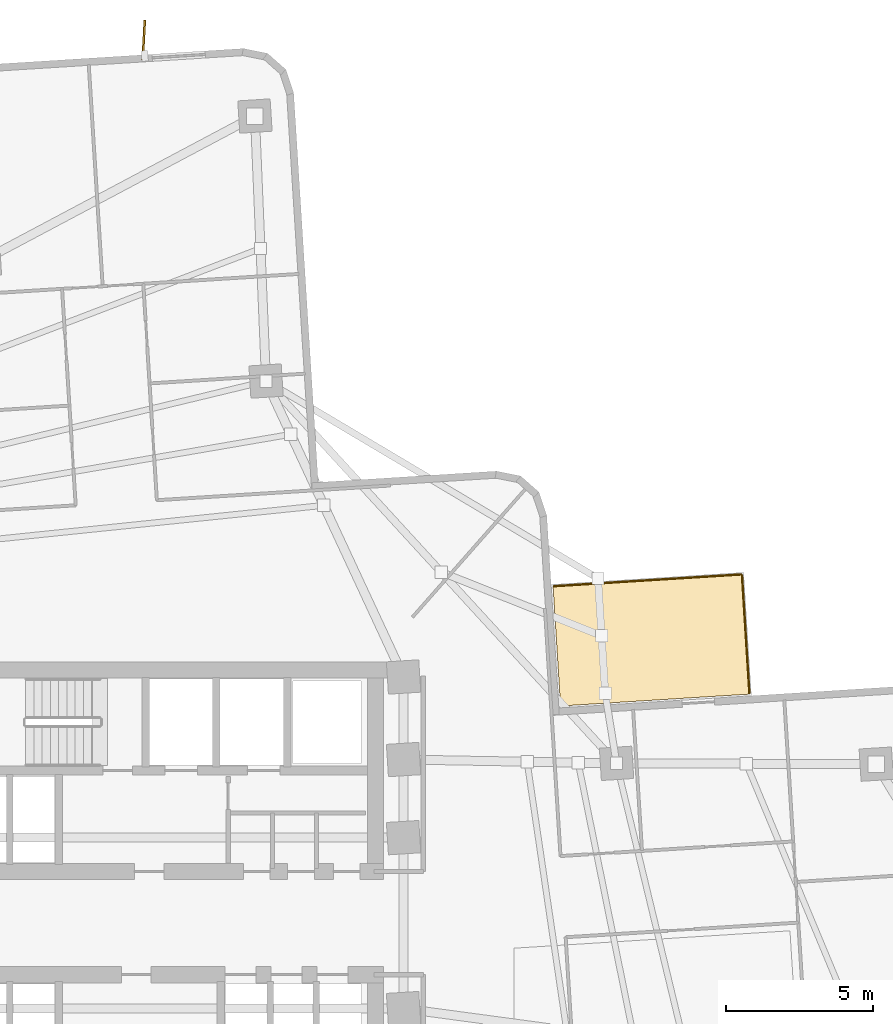
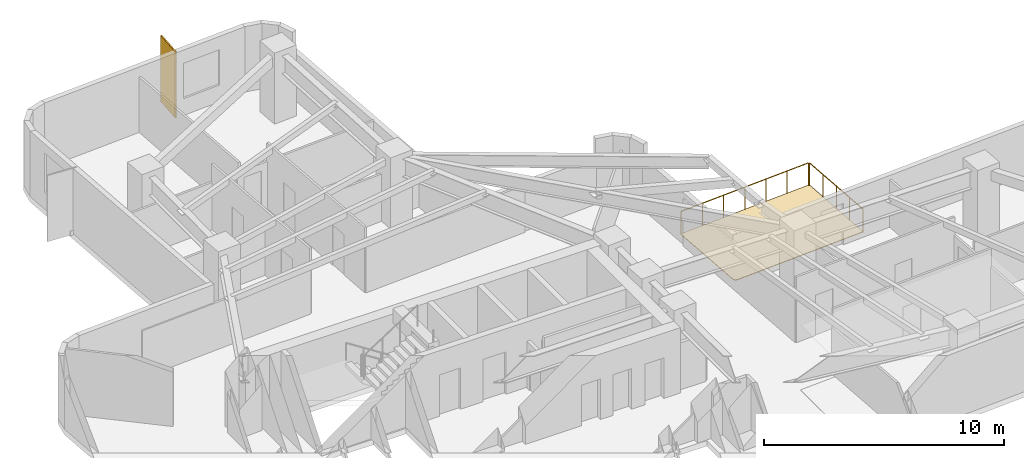
# One storey, part 11 of 11: 2 railings, 1 covering, 1 shading device.
"""IFC4 building model written with IfcOpenShell, lengths in metres."""

import ifcopenshell
import ifcopenshell.guid

model = None  # the IFC model being written
_history = None  # IfcOwnerHistory: only IFC2X3 demands one
_inside = {}  # id of a spatial element -> (the spatial element, [elements in it])
_under = {}  # id of a project, library or spatial element -> (it, [spatial elements below it])
_declared = {}  # id of a project -> (the project, [libraries it declares])
_typed = {}  # id of a type object -> (the type object, [elements of that type])
_made_of = {}  # id of a material, layer set ... -> (it, [elements and type objects made of it])


def new_model(schema):
    """Start an empty IFC model of exactly this schema.

    Asked for "IFC4X3", IfcOpenShell would pick the latest addendum, in which some entities
    have other attributes; the version numbers below select the first issue.
    IFC2X3 requires an IfcOwnerHistory on every rooted entity: one is made here for all.
    """
    global model, _history
    if schema == "IFC4X3":
        model = ifcopenshell.file(schema_version=(4, 3, 0, 0))
    else:
        model = ifcopenshell.file(schema=schema)
    _inside.clear()
    _under.clear()
    _declared.clear()
    _typed.clear()
    _made_of.clear()
    _history = None
    if model.schema == "IFC2X3":
        org = make("IfcOrganization", Name="unknown")
        user = make(
            "IfcPersonAndOrganization",
            ThePerson=make("IfcPerson", FamilyName="unknown"),
            TheOrganization=org,
        )
        app = make(
            "IfcApplication",
            ApplicationDeveloper=org,
            Version="unknown",
            ApplicationFullName="unknown",
            ApplicationIdentifier="unknown",
        )
        _history = make(
            "IfcOwnerHistory",
            OwningUser=user,
            OwningApplication=app,
            ChangeAction="ADDED",
            CreationDate=0,
        )
    return model


def make(cls, **values):
    """One entity of the class cls with the attributes given. An attribute that is None is left unset."""
    return model.create_entity(
        cls, **{name: value for name, value in values.items() if value is not None}
    )


def rooted(cls, **values):
    """An entity with a GlobalId (a new one), such as an element, a storey or a relation."""
    return make(cls, GlobalId=ifcopenshell.guid.new(), OwnerHistory=_history, **values)


def si_unit(unit_type, name, prefix=None):
    """IfcSIUnit, for example si_unit("LENGTHUNIT", "METRE", prefix="MILLI")."""
    return make("IfcSIUnit", UnitType=unit_type, Prefix=prefix, Name=name)


def assignment(units):
    """IfcUnitAssignment: the units of a project."""
    return None if units is None else make("IfcUnitAssignment", Units=units)


def point(xyz):
    """IfcCartesianPoint."""
    return None if xyz is None else make("IfcCartesianPoint", Coordinates=xyz)


def direction(xyz):
    """IfcDirection."""
    return None if xyz is None else make("IfcDirection", DirectionRatios=xyz)


def frame(location, z_axis=None, x_axis=None):
    """IfcAxis2Placement3D, a coordinate frame: its origin and axes. An axis left out is left unset."""
    return make(
        "IfcAxis2Placement3D",
        Location=point(location),
        Axis=direction(z_axis),
        RefDirection=direction(x_axis),
    )


def frame_2d(location, x_axis=None):
    """IfcAxis2Placement2D, a coordinate frame in the plane: its origin and x axis."""
    return make(
        "IfcAxis2Placement2D", Location=point(location), RefDirection=direction(x_axis)
    )


def origin():
    """The frame at (0, 0, 0) with its axes left unset."""
    return frame((0.0, 0.0, 0.0))


def origin_2d():
    """The frame at (0, 0) in the plane with its x axis left unset."""
    return frame_2d((0.0, 0.0))


def place(relative_to, where):
    """IfcLocalPlacement: puts the frame where relative to a parent placement (None: the world)."""
    return make(
        "IfcLocalPlacement", PlacementRelTo=relative_to, RelativePlacement=where
    )


def context(
    kind, dimensions, precision=None, world=None, true_north=None, identifier=None
):
    """IfcGeometricRepresentationContext, for example the 3D "Model" context."""
    return make(
        "IfcGeometricRepresentationContext",
        ContextIdentifier=identifier,
        ContextType=kind,
        CoordinateSpaceDimension=dimensions,
        Precision=precision,
        WorldCoordinateSystem=world,
        TrueNorth=true_north,
    )


def subcontext(parent, identifier, kind, view, scale=None):
    """IfcGeometricRepresentationSubContext, for example "Body" below "Model"."""
    return make(
        "IfcGeometricRepresentationSubContext",
        ContextIdentifier=identifier,
        ContextType=kind,
        ParentContext=parent,
        TargetScale=scale,
        TargetView=view,
    )


def project(units=None, contexts=None):
    """IfcProject with its units and contexts."""
    return rooted(
        "IfcProject",
        Name="project",
        RepresentationContexts=contexts,
        UnitsInContext=assignment(units),
    )


def spatial(cls, under=None, at=None, **own):
    """A site, building, storey or space (cls), placed at a placement, below another one or the project."""
    s = rooted(cls, ObjectPlacement=at, **own)
    if under is not None:
        _under.setdefault(under.id(), (under, []))[1].append(s)
    return s


def polyline(points):
    """IfcPolyline through the points."""
    return make("IfcPolyline", Points=[point(p) for p in points])


def profile(cls, at=None, kind="AREA", **sizes):
    """A parametric profile (cls). Its sizes go by their IFC names, for example OverallWidth=200.0."""
    return make(cls, ProfileType=kind, Position=at, **sizes)


def rectangle(**sizes):
    """IfcRectangleProfileDef."""
    return profile("IfcRectangleProfileDef", **sizes)


def circle(**sizes):
    """IfcCircleProfileDef."""
    return profile("IfcCircleProfileDef", **sizes)


def outline(outer, holes=None, kind="AREA"):
    """IfcArbitraryClosedProfileDef: a profile drawn as a closed curve; with holes, ...WithVoids."""
    if holes is None:
        return make("IfcArbitraryClosedProfileDef", ProfileType=kind, OuterCurve=outer)
    return make(
        "IfcArbitraryProfileDefWithVoids",
        ProfileType=kind,
        OuterCurve=outer,
        InnerCurves=holes,
    )


def extrude(swept, where, along, depth):
    """IfcExtrudedAreaSolid: the profile swept, set in the frame where, extruded along a direction by depth."""
    return make(
        "IfcExtrudedAreaSolid",
        SweptArea=swept,
        Position=where,
        ExtrudedDirection=direction(along),
        Depth=depth,
    )


def shape(context_of_items, identifier, shape_type, items):
    """IfcShapeRepresentation: the items that make up one representation, for example the "Body"."""
    return make(
        "IfcShapeRepresentation",
        ContextOfItems=context_of_items,
        RepresentationIdentifier=identifier,
        RepresentationType=shape_type,
        Items=items,
    )


def material(Name=None, Category=None):
    """IfcMaterial."""
    return make("IfcMaterial", Name=Name, Category=Category)


def layer(
    of_material, thickness, ventilated=None, Name=None, Category=None, Priority=None
):
    """IfcMaterialLayer: one layer of a wall or slab, of a material (None: an air gap)."""
    return make(
        "IfcMaterialLayer",
        Material=of_material,
        LayerThickness=thickness,
        IsVentilated=ventilated,
        Name=Name,
        Category=Category,
        Priority=Priority,
    )


def layer_set(layers, Name=None):
    """IfcMaterialLayerSet."""
    return make("IfcMaterialLayerSet", MaterialLayers=layers, LayerSetName=Name)


def made_of(thing, what):
    """Note that an element or type object is made of a material, layer set ...; save() writes the relation."""
    if what is not None:
        _made_of.setdefault(what.id(), (what, []))[1].append(thing)
    return thing


def type_object(cls, material=None, **own):
    """A type object (cls), such as IfcWallType, which elements share."""
    return made_of(rooted(cls, **own), material)


def element(
    cls,
    number,
    at=None,
    inside=None,
    cuts=None,
    type_object=None,
    material=None,
    context=None,
    identifier="Body",
    shape_type=None,
    held_by="IfcProductDefinitionShape",
    body=None,
    shapes=None,
    **own,
):
    """One element of the class cls, such as IfcWall. Its Tag is "e" and its number.

    at: its placement. inside: the storey or other place that contains it. cuts: it is an
    opening in that element (IfcRelVoidsElement). A single representation is given by context,
    identifier, shape_type and body (its items); several are given by shapes. held_by: the class
    of the entity that holds the representations. save() writes the other relations.
    """
    e = rooted(cls, Tag="e%d" % number, ObjectPlacement=at, **own)
    if body is not None:
        shapes = [shape(context, identifier, shape_type, body)]
    if shapes is not None:
        e.Representation = make(held_by, Representations=shapes)
    if inside is not None:
        _inside.setdefault(inside.id(), (inside, []))[1].append(e)
    if cuts is not None:
        rooted(
            "IfcRelVoidsElement", RelatingBuildingElement=cuts, RelatedOpeningElement=e
        )
    if type_object is not None:
        _typed.setdefault(type_object.id(), (type_object, []))[1].append(e)
    return made_of(e, material)


def aggregate(whole, parts):
    """IfcRelAggregates: a whole, such as a stair, and the parts it consists of."""
    return rooted("IfcRelAggregates", RelatingObject=whole, RelatedObjects=parts)


def save(model, path):
    """Write the relations noted so far, then the file.

    IfcRelAggregates (storeys below a building ...), IfcRelContainedInSpatialStructure (elements
    in a storey), IfcRelDefinesByType, IfcRelAssociatesMaterial and IfcRelDeclares: one each for
    every whole, place, type object, material and project.
    """
    for whole, parts in _under.values():
        aggregate(whole, parts)
    for where, things in _inside.values():
        rooted(
            "IfcRelContainedInSpatialStructure",
            RelatedElements=things,
            RelatingStructure=where,
        )
    for kind, things in _typed.values():
        rooted("IfcRelDefinesByType", RelatedObjects=things, RelatingType=kind)
    for what, things in _made_of.values():
        rooted("IfcRelAssociatesMaterial", RelatedObjects=things, RelatingMaterial=what)
    for by, libraries in _declared.values():
        rooted("IfcRelDeclares", RelatingContext=by, RelatedDefinitions=libraries)
    model.write(path)


model = new_model("IFC4")

# Units and contexts
model_context = context("Model", 3, precision=1e-05, world=origin(), true_north=direction((0.0, 1.0)))
body_context = subcontext(model_context, "Body", "Model", "MODEL_VIEW")
ifc_project = project(units=[si_unit("LENGTHUNIT", "METRE"), si_unit("AREAUNIT", "SQUARE_METRE"), si_unit("VOLUMEUNIT", "CUBIC_METRE"), si_unit("PLANEANGLEUNIT", "RADIAN"), si_unit("MASSUNIT", "GRAM", prefix="KILO")], contexts=[model_context])

# Site, building, storey
site_placement = place(None, origin())
site = spatial("IfcSite", under=ifc_project, at=site_placement, CompositionType="ELEMENT")
building_placement = place(site_placement, origin())
building = spatial("IfcBuilding", under=site, at=building_placement, Name="Solmarez Civic Tower", CompositionType="ELEMENT")
storey_placement = place(building_placement, frame((0.0, 0.0, 49.679931640625)))
storey = spatial("IfcBuildingStorey", under=building, at=storey_placement, Name="L12", CompositionType="ELEMENT", Elevation=49.679931640625)

# Covering
ifc_material_1 = material(Name="Elastomeric Terrace Waterproofing Membrane")
ifc_layer_1 = layer(ifc_material_1, 0.030029296875)
ifc_layer_set_1 = layer_set([ifc_layer_1], Name="Elastomeric Terrace Waterproofing Membrane")
covering_type = type_object("IfcCoveringType", Name="COV-MEMBRANE-ROOF", PredefinedType="ROOFING", material=ifc_layer_set_1)
covering_placement = place(storey_placement, origin())
element("IfcCovering", 1, at=covering_placement, inside=storey, type_object=covering_type, Name="L12 Balcony Waterproofing NE", PredefinedType="ROOFING", context=body_context, shape_type="SweptSolid", body=[
    extrude(outline(polyline([(14.1669921875, 7.52392578125), (14.208984375, 7.402099609375), (14.333984375, 7.3759765625), (20.592041015625, 7.77001953125), (20.3369140625, 11.840087890625), (13.922119140625, 11.43701171875), (14.1669921875, 7.52392578125)])), origin(), (0.0, 0.0, 1.0), 0.030029296875),
])

# Shading device
ifc_material_2 = material(Name="Bronze Anodised Aluminium EN AW-6063 T6", Category="aluminium")
ifc_layer_2 = layer(ifc_material_2, 0.06494140625)
ifc_layer_set_2 = layer_set([ifc_layer_2], Name="Bronze Anodised Aluminium EN AW-6063 T6")
shading_device_type = type_object("IfcShadingDeviceType", Name="FIN-BRONZE-Z12", PredefinedType="USERDEFINED", material=ifc_layer_set_2)
shading_device_placement = place(storey_placement, frame((0.034912109375, 29.966064453125, -0.0400390625), z_axis=(0.0, 0.0, 1.0), x_axis=(0.055019887468, 0.998485258771, 0.0)))
element("IfcShadingDevice", 2, at=shading_device_placement, inside=storey, type_object=shading_device_type, Name="L12 Anodised Bronze Solar Fin FIN-L12-04", ObjectType="FIN", PredefinedType="USERDEFINED", context=body_context, shape_type="SweptSolid", body=[
    extrude(rectangle(XDim=1.35009765625, YDim=0.06494140625, at=origin_2d()), origin(), (0.0, 0.0, 1.0), 3.360107421875),
])

# Railings
ifc_material_3 = material(Name="Bronze Anodised Aluminium and Laminated Safety Glass Balustrade", Category="aluminium")
railing_type = type_object("IfcRailingType", Name="GUARD-TERR-1180", PredefinedType="BALUSTRADE", material=ifc_material_3)
railing_1_placement = place(storey_placement, frame((20.590087890625, 7.804931640625, 0.0)))
element("IfcRailing", 3, at=railing_1_placement, inside=storey, type_object=railing_type, Name="L12 Safety Balustrade GRD-BALC-L12-NE-1", PredefinedType="BALUSTRADE", context=body_context, shape_type="SweptSolid", body=[
    extrude(circle(Radius=0.02392578125, at=origin_2d()), frame((0.0, 0.0, 1.15576171875), z_axis=(-0.062620997681, 0.998037379385, 0.0), x_axis=(-0.998037379385, -0.062620997681, 0.0)), (0.0, 0.0, 1.0), 4.0078125),
    extrude(circle(Radius=0.02099609375, at=origin_2d()), origin(), (0.0, 0.0, 1.0), 1.1318359375),
    extrude(circle(Radius=0.02099609375, at=origin_2d()), frame((-0.062744140625, 1.0, 0.0)), (0.0, 0.0, 1.0), 1.1318359375),
    extrude(circle(Radius=0.02099609375, at=origin_2d()), frame((-0.12548828125, 2.0, 0.0)), (0.0, 0.0, 1.0), 1.1318359375),
    extrude(circle(Radius=0.02099609375, at=origin_2d()), frame((-0.188232421875, 3.0, 0.0)), (0.0, 0.0, 1.0), 1.1318359375),
    extrude(circle(Radius=0.02099609375, at=origin_2d()), frame((-0.2509765625, 4.0, 0.0)), (0.0, 0.0, 1.0), 1.1318359375),
])
railing_2_placement = place(storey_placement, frame((20.302001953125, 11.837890625, 0.0)))
element("IfcRailing", 4, at=railing_2_placement, inside=storey, type_object=railing_type, Name="L12 Safety Balustrade GRD-BALC-L12-NE-2", PredefinedType="BALUSTRADE", context=body_context, shape_type="SweptSolid", body=[
    extrude(circle(Radius=0.02392578125, at=origin_2d()), frame((0.0, 0.0, 1.15576171875), z_axis=(-0.998029348953, -0.062748853599, 0.0), x_axis=(0.062748853599, -0.998029348953, 0.0)), (0.0, 0.0, 1.0), 6.357421875),
    extrude(circle(Radius=0.02099609375, at=origin_2d()), origin(), (0.0, 0.0, 1.0), 1.1318359375),
    extrude(circle(Radius=0.02099609375, at=origin_2d()), frame((-1.0576171875, -0.06640625, 0.0)), (0.0, 0.0, 1.0), 1.1318359375),
    extrude(circle(Radius=0.02099609375, at=origin_2d()), frame((-2.114990234375, -0.133056640625, 0.0)), (0.0, 0.0, 1.0), 1.1318359375),
    extrude(circle(Radius=0.02099609375, at=origin_2d()), frame((-3.17236328125, -0.199462890625, 0.0)), (0.0, 0.0, 1.0), 1.1318359375),
    extrude(circle(Radius=0.02099609375, at=origin_2d()), frame((-4.22998046875, -0.265869140625, 0.0)), (0.0, 0.0, 1.0), 1.1318359375),
    extrude(circle(Radius=0.02099609375, at=origin_2d()), frame((-5.28759765625, -0.33251953125, 0.0)), (0.0, 0.0, 1.0), 1.1318359375),
    extrude(circle(Radius=0.02099609375, at=origin_2d()), frame((-6.344970703125, -0.39892578125, 0.0)), (0.0, 0.0, 1.0), 1.1318359375),
])

save(model, "model.ifc")
